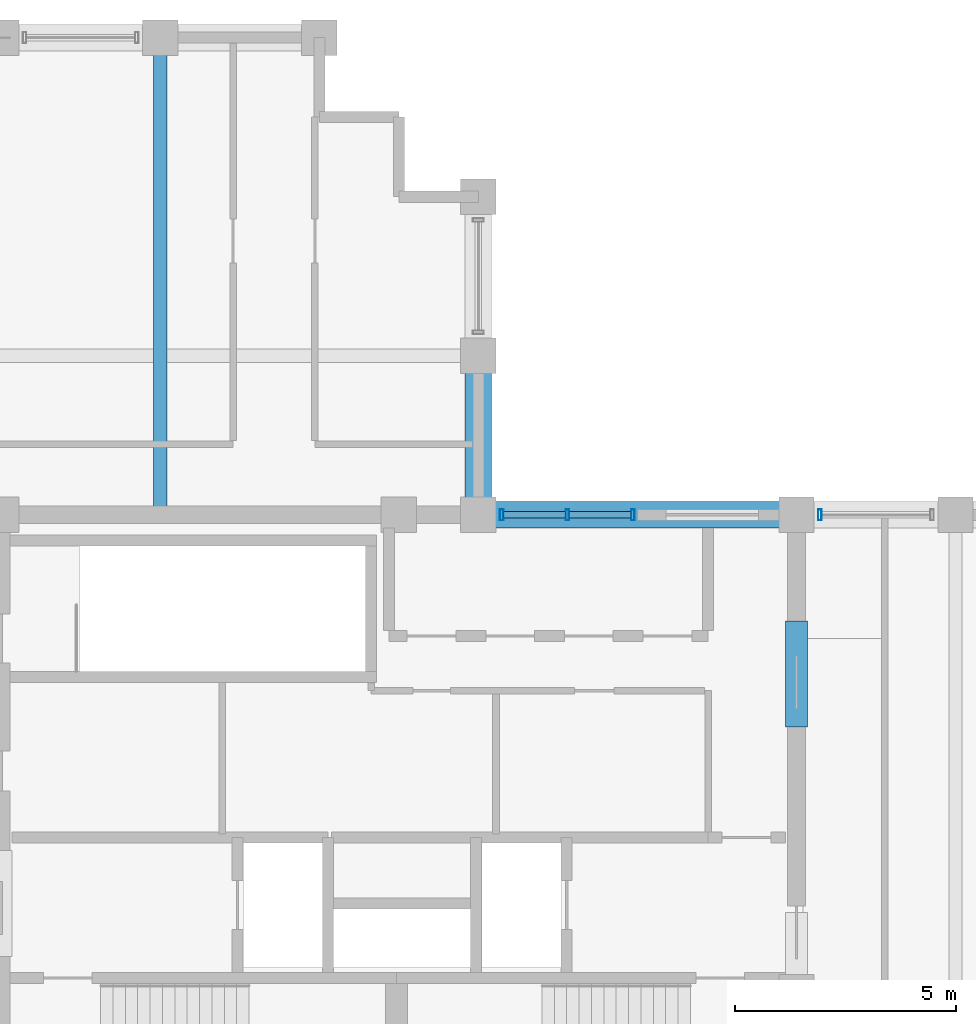
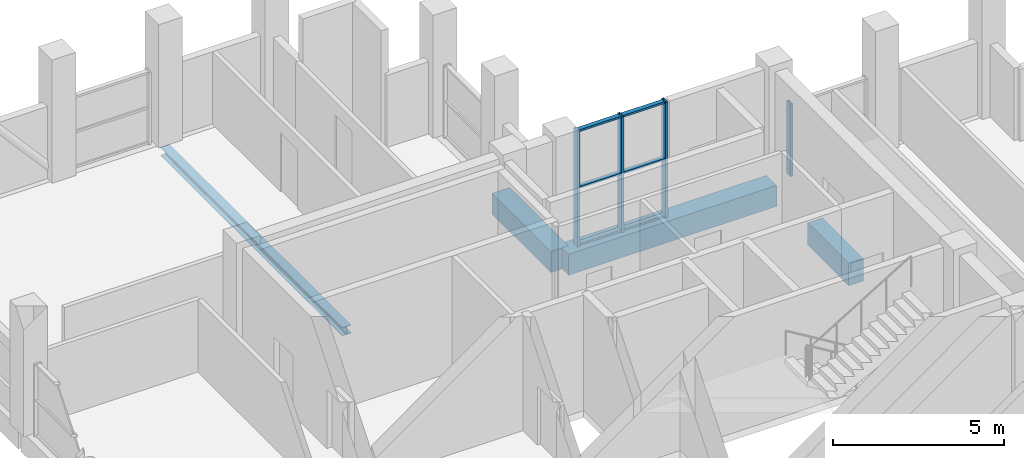
# One storey, part 6 of 14: 10 members, 4 beams, 2 elements without a shape of their own.
"""IFC4 building model written with IfcOpenShell, lengths in metres."""

from ifc_helpers import new_model, si_unit, direction, frame, origin, origin_2d, place, context, subcontext, project, spatial, rectangle, hollow_rectangle, i_section, extrude, material, layer, layer_set, material_profile, profile_set, type_object, element, aggregate, save


model = new_model("IFC4")

# Units and contexts
model_context = context("Model", 3, precision=1e-05, world=origin(), true_north=direction((0.0, 1.0)))
body_context = subcontext(model_context, "Body", "Model", "MODEL_VIEW")
ifc_project = project(units=[si_unit("LENGTHUNIT", "METRE"), si_unit("AREAUNIT", "SQUARE_METRE"), si_unit("VOLUMEUNIT", "CUBIC_METRE"), si_unit("PLANEANGLEUNIT", "RADIAN"), si_unit("MASSUNIT", "GRAM", prefix="KILO")], contexts=[model_context])

# Site, building, storey
site_placement = place(None, origin())
site = spatial("IfcSite", under=ifc_project, at=site_placement, CompositionType="ELEMENT")
building_placement = place(site_placement, origin())
building = spatial("IfcBuilding", under=site, at=building_placement, Name="Solnavia Interchange Tower", CompositionType="ELEMENT")
storey_placement = place(building_placement, frame((0.0, 0.0, 299.800048828125)))
storey = spatial("IfcBuildingStorey", under=building, at=storey_placement, Name="L76", CompositionType="ELEMENT", Elevation=299.800048828125)

# Beams
ifc_material_1 = material(Name="Concrete C50/60", Category="concrete")
ifc_material_profile_1 = material_profile(ifc_material_1, rectangle(XDim=0.5, YDim=0.800048828125, at=origin_2d()), Name="RC 500x800")
ifc_profile_set_1 = profile_set([ifc_material_profile_1], Name="Concrete C50/60")
beam_type_1 = type_object("IfcBeamType", Name="Beam-Coupling-RC500x800", PredefinedType="LINTEL", material=ifc_profile_set_1)
beam_1_placement = place(storey_placement, frame((32.39990234375, 20.39990234375, -0.400146484375), z_axis=(0.0, 1.0, 0.0), x_axis=(-1.0, 0.0, 0.0)))
element("IfcBeam", 1, at=beam_1_placement, inside=storey, type_object=beam_type_1, Name="CPB-L76-E2 Core coupling lintel beam", PredefinedType="LINTEL", context=body_context, shape_type="SweptSolid", body=[
    extrude(rectangle(XDim=0.5, YDim=0.800048828125, at=origin_2d()), origin(), (0.0, 0.0, 1.0), 2.400146484375),
])
ifc_material_2 = material(Name="Steel S460", Category="steel")
ifc_material_profile_2 = material_profile(ifc_material_2, i_section(OverallWidth=0.300048828125, OverallDepth=0.300048828125, WebThickness=0.010986328125, FlangeThickness=0.01904296875, FilletRadius=0.027099609375, at=origin_2d()), Name="HEB 300")
ifc_profile_set_2 = profile_set([ifc_material_profile_2], Name="Steel S460")
beam_type_2 = type_object("IfcBeamType", Name="Beam-Girder-HEB300", PredefinedType="BEAM", material=ifc_profile_set_2)
beam_2_placement = place(storey_placement, frame((18.0, 25.280029296875, -0.400146484375), z_axis=(0.0, 1.0, 0.0), x_axis=(-1.0, 0.0, 0.0)))
element("IfcBeam", 2, at=beam_2_placement, inside=storey, type_object=beam_type_2, Name="GRD-L76-NS03 North wing spine girder", PredefinedType="BEAM", context=body_context, shape_type="SweptSolid", body=[
    extrude(i_section(OverallWidth=0.300048828125, OverallDepth=0.300048828125, WebThickness=0.010986328125, FlangeThickness=0.01904296875, FilletRadius=0.027099609375, at=origin_2d()), origin(), (0.0, 0.0, 1.0), 10.639892578125),
])
ifc_material_profile_3 = material_profile(ifc_material_1, rectangle(XDim=0.60009765625, YDim=0.75, at=origin_2d()), Name="RC 600x750")
ifc_profile_set_3 = profile_set([ifc_material_profile_3], Name="Concrete C50/60")
beam_type_3 = type_object("IfcBeamType", Name="Beam-Spandrel-RC600x750", PredefinedType="SPANDREL", material=ifc_profile_set_3)
beam_3_placement = place(storey_placement, frame((32.320068359375, 25.199951171875, -0.375), z_axis=(-1.0, 0.0, 0.0), x_axis=(0.0, -1.0, 0.0)))
element("IfcBeam", 3, at=beam_3_placement, inside=storey, type_object=beam_type_3, Name="SPB-L76-19 Framed-tube perimeter spandrel beam", PredefinedType="SPANDREL", context=body_context, shape_type="SweptSolid", body=[
    extrude(rectangle(XDim=0.60009765625, YDim=0.75, at=origin_2d()), origin(), (0.0, 0.0, 1.0), 7.0400390625),
])
beam_4_placement = place(storey_placement, frame((25.199951171875, 25.280029296875, -0.375), z_axis=(0.0, 1.0, 0.0), x_axis=(-1.0, 0.0, 0.0)))
element("IfcBeam", 4, at=beam_4_placement, inside=storey, type_object=beam_type_3, Name="SPB-L76-20 Framed-tube perimeter spandrel beam", PredefinedType="SPANDREL", context=body_context, shape_type="SweptSolid", body=[
    extrude(rectangle(XDim=0.60009765625, YDim=0.75, at=origin_2d()), origin(), (0.0, 0.0, 1.0), 3.43994140625),
])

# Curtain wall, member
ifc_material_3 = material(Name="Aluminium Alloy 6063-T6", Category="aluminium")
ifc_layer = layer(ifc_material_3, 0.27001953125)
ifc_layer_set = layer_set([ifc_layer], Name="Aluminium Alloy 6063-T6")
curtain_wall_type = type_object("IfcCurtainWallType", Name="CurtainWall-SkyLobby-CTW4", PredefinedType="NOTDEFINED", material=ifc_layer_set)
curtain_wall_1_placement = place(storey_placement, origin())
curtain_wall_1 = element("IfcCurtainWall", 5, at=curtain_wall_1_placement, inside=storey, type_object=curtain_wall_type, Name="CTW-L76-S18 CTW-4 curtain wall", PredefinedType="NOTDEFINED")
ifc_material_profile_4 = material_profile(ifc_material_3, hollow_rectangle(XDim=0.080078125, YDim=0.25, WallThickness=0.006103515625, at=origin_2d()), Name="ALU 250x80x6")
ifc_profile_set_4 = profile_set([ifc_material_profile_4], Name="Aluminium Alloy 6063-T6")
member_type_1 = type_object("IfcMemberType", Name="CW-Mullion-CWM-4", PredefinedType="MULLION", material=ifc_profile_set_4)
member_1_placement = place(storey_placement, frame((32.929931640625, 25.199951171875, 0.0), z_axis=(0.0, 0.0, 1.0), x_axis=(-1.0, 0.0, 0.0)))
member_1 = element("IfcMember", 6, at=member_1_placement, type_object=member_type_1, Name="CTW-4 mullion 2", PredefinedType="MULLION", context=body_context, shape_type="SweptSolid", body=[
    extrude(hollow_rectangle(XDim=0.080078125, YDim=0.25, WallThickness=0.006103515625, at=origin_2d()), origin(), (0.0, 0.0, 1.0), 2.579833984375),
])
aggregate(curtain_wall_1, [member_1])

# Curtain wall, members
curtain_wall_2_placement = place(storey_placement, origin())
curtain_wall_2 = element("IfcCurtainWall", 7, at=curtain_wall_2_placement, inside=storey, type_object=curtain_wall_type, Name="CTW-L76-S20 CTW-4 curtain wall", PredefinedType="NOTDEFINED")
member_2_placement = place(storey_placement, frame((28.699951171875, 25.199951171875, 0.0), z_axis=(0.0, 0.0, 1.0), x_axis=(-1.0, 0.0, 0.0)))
member_2 = element("IfcMember", 8, at=member_2_placement, type_object=member_type_1, Name="CTW-4 mullion 1", PredefinedType="MULLION", context=body_context, shape_type="SweptSolid", body=[
    extrude(hollow_rectangle(XDim=0.080078125, YDim=0.25, WallThickness=0.006103515625, at=origin_2d()), origin(), (0.0, 0.0, 1.0), 4.135009765625),
])
member_3_placement = place(storey_placement, frame((27.215087890625, 25.199951171875, 0.0), z_axis=(0.0, 0.0, 1.0), x_axis=(-1.0, 0.0, 0.0)))
member_3 = element("IfcMember", 9, at=member_3_placement, type_object=member_type_1, Name="CTW-4 mullion 2", PredefinedType="MULLION", context=body_context, shape_type="SweptSolid", body=[
    extrude(hollow_rectangle(XDim=0.080078125, YDim=0.25, WallThickness=0.006103515625, at=origin_2d()), origin(), (0.0, 0.0, 1.0), 4.135009765625),
])
member_4_placement = place(storey_placement, frame((25.72998046875, 25.199951171875, 0.0), z_axis=(0.0, 0.0, 1.0), x_axis=(-1.0, 0.0, 0.0)))
member_4 = element("IfcMember", 10, at=member_4_placement, type_object=member_type_1, Name="CTW-4 mullion 3", PredefinedType="MULLION", context=body_context, shape_type="SweptSolid", body=[
    extrude(hollow_rectangle(XDim=0.080078125, YDim=0.25, WallThickness=0.006103515625, at=origin_2d()), origin(), (0.0, 0.0, 1.0), 4.135009765625),
])
ifc_material_profile_5 = material_profile(ifc_material_3, hollow_rectangle(XDim=0.070068359375, YDim=0.14990234375, WallThickness=0.00439453125, at=origin_2d()), Name="ALU 150x70x4.5")
ifc_profile_set_5 = profile_set([ifc_material_profile_5], Name="Aluminium Alloy 6063-T6")
member_type_2 = type_object("IfcMemberType", Name="CW-Transom-CWT-4", PredefinedType="USERDEFINED", material=ifc_profile_set_5)
member_5_placement = place(storey_placement, frame((28.659912109375, 25.199951171875, 0.034912109375), z_axis=(-1.0, 0.0, 0.0), x_axis=(0.0, 0.0, 1.0)))
member_5 = element("IfcMember", 11, at=member_5_placement, type_object=member_type_2, Name="CTW-4 transom 1.1", ObjectType="TRANSOM", PredefinedType="USERDEFINED", context=body_context, shape_type="SweptSolid", body=[
    extrude(hollow_rectangle(XDim=0.070068359375, YDim=0.14990234375, WallThickness=0.00439453125, at=origin_2d()), origin(), (0.0, 0.0, 1.0), 1.405029296875),
])
member_6_placement = place(storey_placement, frame((28.659912109375, 25.199951171875, 2.06787109375), z_axis=(-1.0, 0.0, 0.0), x_axis=(0.0, 0.0, 1.0)))
member_6 = element("IfcMember", 12, at=member_6_placement, type_object=member_type_2, Name="CTW-4 transom 1.2", ObjectType="TRANSOM", PredefinedType="USERDEFINED", context=body_context, shape_type="SweptSolid", body=[
    extrude(hollow_rectangle(XDim=0.070068359375, YDim=0.14990234375, WallThickness=0.00439453125, at=origin_2d()), origin(), (0.0, 0.0, 1.0), 1.405029296875),
])
member_7_placement = place(storey_placement, frame((28.659912109375, 25.199951171875, 4.099853515625), z_axis=(-1.0, 0.0, 0.0), x_axis=(0.0, 0.0, 1.0)))
member_7 = element("IfcMember", 13, at=member_7_placement, type_object=member_type_2, Name="CTW-4 transom 1.3", ObjectType="TRANSOM", PredefinedType="USERDEFINED", context=body_context, shape_type="SweptSolid", body=[
    extrude(hollow_rectangle(XDim=0.070068359375, YDim=0.14990234375, WallThickness=0.00439453125, at=origin_2d()), origin(), (0.0, 0.0, 1.0), 1.405029296875),
])
member_8_placement = place(storey_placement, frame((27.175048828125, 25.199951171875, 0.034912109375), z_axis=(-1.0, 0.0, 0.0), x_axis=(0.0, 0.0, 1.0)))
member_8 = element("IfcMember", 14, at=member_8_placement, type_object=member_type_2, Name="CTW-4 transom 2.1", ObjectType="TRANSOM", PredefinedType="USERDEFINED", context=body_context, shape_type="SweptSolid", body=[
    extrude(hollow_rectangle(XDim=0.070068359375, YDim=0.14990234375, WallThickness=0.00439453125, at=origin_2d()), origin(), (0.0, 0.0, 1.0), 1.405029296875),
])
member_9_placement = place(storey_placement, frame((27.175048828125, 25.199951171875, 2.06787109375), z_axis=(-1.0, 0.0, 0.0), x_axis=(0.0, 0.0, 1.0)))
member_9 = element("IfcMember", 15, at=member_9_placement, type_object=member_type_2, Name="CTW-4 transom 2.2", ObjectType="TRANSOM", PredefinedType="USERDEFINED", context=body_context, shape_type="SweptSolid", body=[
    extrude(hollow_rectangle(XDim=0.070068359375, YDim=0.14990234375, WallThickness=0.00439453125, at=origin_2d()), origin(), (0.0, 0.0, 1.0), 1.405029296875),
])
member_10_placement = place(storey_placement, frame((27.175048828125, 25.199951171875, 4.099853515625), z_axis=(-1.0, 0.0, 0.0), x_axis=(0.0, 0.0, 1.0)))
member_10 = element("IfcMember", 16, at=member_10_placement, type_object=member_type_2, Name="CTW-4 transom 2.3", ObjectType="TRANSOM", PredefinedType="USERDEFINED", context=body_context, shape_type="SweptSolid", body=[
    extrude(hollow_rectangle(XDim=0.070068359375, YDim=0.14990234375, WallThickness=0.00439453125, at=origin_2d()), origin(), (0.0, 0.0, 1.0), 1.405029296875),
])
aggregate(curtain_wall_2, [member_2, member_3, member_4, member_5, member_6, member_7, member_8, member_9, member_10])

save(model, "model.ifc")
